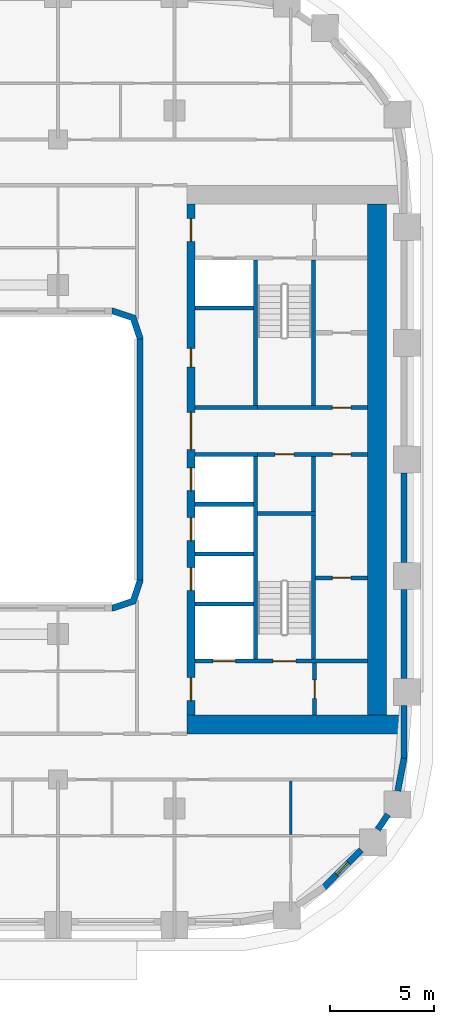
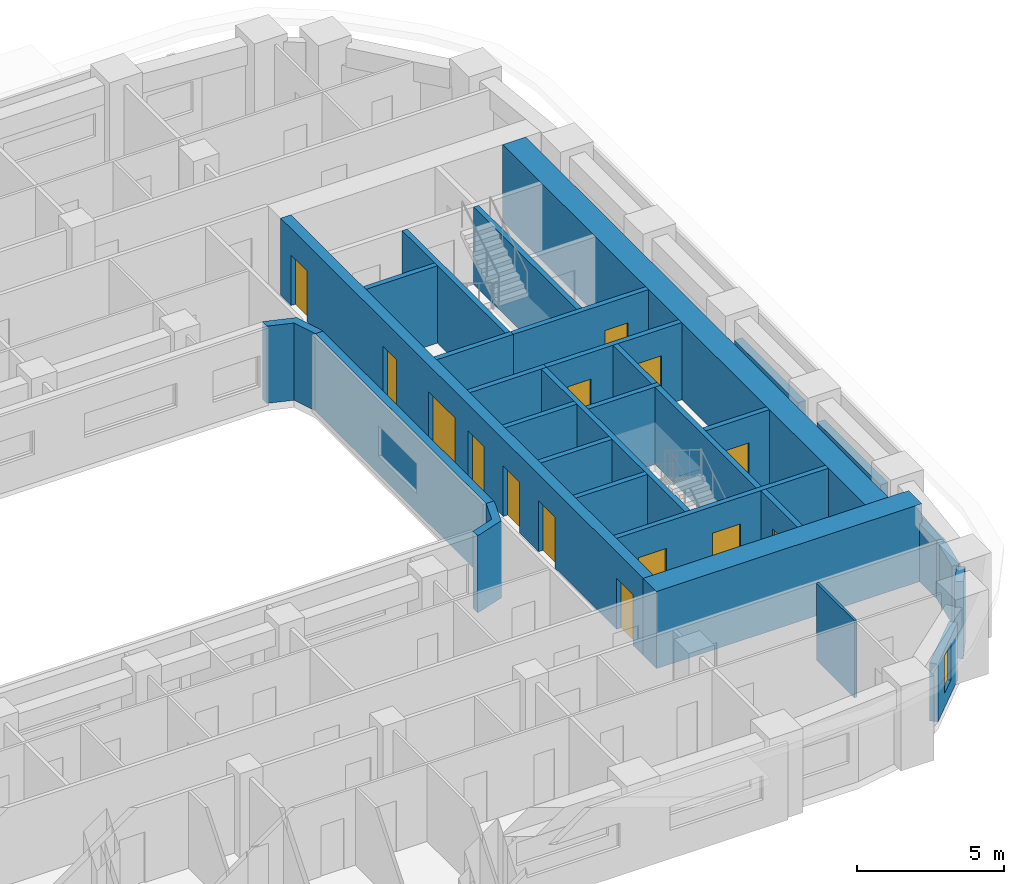
# One storey, part 6 of 21: 30 walls, 14 doors, 1 window, 15 openings.
"""IFC4 building model written with IfcOpenShell, lengths in metres."""

from ifc_helpers import new_model, si_unit, direction, frame, frame_2d, origin, place, context, subcontext, project, spatial, polyline, rectangle, outline, extrude, material, layer, layer_set, type_object, element, fill, save


model = new_model("IFC4")

# Units and contexts
model_context = context("Model", 3, precision=1e-05, world=origin(), true_north=direction((0.0, 1.0)))
body_context = subcontext(model_context, "Body", "Model", "MODEL_VIEW")
ifc_project = project(units=[si_unit("LENGTHUNIT", "METRE"), si_unit("AREAUNIT", "SQUARE_METRE"), si_unit("VOLUMEUNIT", "CUBIC_METRE"), si_unit("PLANEANGLEUNIT", "RADIAN"), si_unit("MASSUNIT", "GRAM", prefix="KILO")], contexts=[model_context])

# Site, building, storey
site_placement = place(None, origin())
site = spatial("IfcSite", under=ifc_project, at=site_placement, CompositionType="ELEMENT")
building_placement = place(site_placement, origin())
building = spatial("IfcBuilding", under=site, at=building_placement, Name="Kiln Ring Residences", CompositionType="ELEMENT")
storey_placement = place(building_placement, frame((0.0, 0.0, 100.800048828125)))
storey = spatial("IfcBuildingStorey", under=building, at=storey_placement, Name="L25", CompositionType="ELEMENT", Elevation=100.800048828125)

# Wall
ifc_material_1 = material(Name="Gypsum board on steel studs", Category="steel")
ifc_layer_1 = layer(ifc_material_1, 0.199951171875)
ifc_layer_set_1 = layer_set([ifc_layer_1], Name="CORE-PARTITION-200")
wall_type_1 = type_object("IfcWallType", Name="CORE-PARTITION-200", PredefinedType="PARTITIONING", material=ifc_layer_set_1)
wall_1_placement = place(storey_placement, frame((23.5, -2.5, 0.0), z_axis=(0.0, 0.0, 1.0), x_axis=(0.0, 1.0, 0.0)))
element("IfcWall", 1, at=wall_1_placement, inside=storey, type_object=wall_type_1, Name="Core partition east L25 1", PredefinedType="PARTITIONING", context=body_context, shape_type="SweptSolid", body=[
    extrude(rectangle(XDim=2.64990234375, YDim=0.199951171875, at=frame_2d((1.324951171875, 0.0))), origin(), (0.0, 0.0, 1.0), 3.199951171875),
])

# Wall, openings, doors
wall_2_placement = place(storey_placement, frame((20.800048828125, 0.25, 0.0), z_axis=(0.0, 0.0, 1.0), x_axis=(1.0, 0.0, 0.0)))
wall_2 = element("IfcWall", 2, at=wall_2_placement, inside=storey, type_object=wall_type_1, Name="Core partition east L25 2", PredefinedType="PARTITIONING", context=body_context, shape_type="SweptSolid", body=[
    extrude(rectangle(XDim=5.300048828125, YDim=0.199951171875, at=frame_2d((2.64990234375, 0.0))), origin(), (0.0, 0.0, 1.0), 3.199951171875),
])
opening_1_placement = place(wall_2_placement, frame((0.85009765625, 0.0, 0.0)))
opening_1 = element("IfcOpeningElement", 3, at=opening_1_placement, cuts=wall_2, Name="Opening L25-CE14", PredefinedType="OPENING", context=body_context, shape_type="SweptSolid", body=[
    extrude(rectangle(XDim=0.89990234375, YDim=2.10009765625, at=frame_2d((0.449951171875, 1.050048828125))), frame((0.0, 0.10986328125, 0.0), z_axis=(0.0, -1.0, 0.0), x_axis=(1.0, 0.0, 0.0)), (0.0, 0.0, 1.0), 0.219970703125),
])
opening_2_placement = place(wall_2_placement, frame((3.60009765625, 0.0, 0.0)))
opening_2 = element("IfcOpeningElement", 4, at=opening_2_placement, cuts=wall_2, Name="Opening L25-CE16", PredefinedType="OPENING", context=body_context, shape_type="SweptSolid", body=[
    extrude(rectangle(XDim=0.89990234375, YDim=2.10009765625, at=frame_2d((0.449951171875, 1.050048828125))), frame((0.0, 0.10986328125, 0.0), z_axis=(0.0, -1.0, 0.0), x_axis=(1.0, 0.0, 0.0)), (0.0, 0.0, 1.0), 0.219970703125),
])
ifc_material_2 = material(Name="Steel door leaf", Category="steel")
door_type_1 = type_object("IfcDoorType", Name="CORE-DOOR-ROOM", OperationType="SINGLE_SWING_LEFT", PredefinedType="DOOR", material=ifc_material_2)
door_1_placement = place(opening_1_placement, origin())
door_1 = element("IfcDoor", 5, at=door_1_placement, inside=storey, type_object=door_type_1, Name="Housekeeping store L25-CE14", OperationType="SINGLE_SWING_LEFT", OverallHeight=2.10009765625, OverallWidth=0.89990234375, PredefinedType="DOOR", context=body_context, shape_type="SweptSolid", body=[
    extrude(rectangle(XDim=0.89990234375, YDim=2.10009765625, at=frame_2d((0.449951171875, 1.050048828125))), frame((0.0, 0.02490234375, 0.0), z_axis=(0.0, -1.0, 0.0), x_axis=(1.0, 0.0, 0.0)), (0.0, 0.0, 1.0), 0.050048828125),
])
fill(opening_1, door_1)
door_2_placement = place(opening_2_placement, origin())
door_2 = element("IfcDoor", 6, at=door_2_placement, inside=storey, type_object=door_type_1, Name="Battery room L25-CE16", OperationType="SINGLE_SWING_LEFT", OverallHeight=2.10009765625, OverallWidth=0.89990234375, PredefinedType="DOOR", context=body_context, shape_type="SweptSolid", body=[
    extrude(rectangle(XDim=0.89990234375, YDim=2.10009765625, at=frame_2d((0.449951171875, 1.050048828125))), frame((0.0, 0.02490234375, 0.0), z_axis=(0.0, -1.0, 0.0), x_axis=(1.0, 0.0, 0.0)), (0.0, 0.0, 1.0), 0.050048828125),
])
fill(opening_2, door_2)

# Wall, opening, door
wall_3_placement = place(storey_placement, frame((23.550048828125, -12.300048828125, 0.0), z_axis=(0.0, 0.0, 1.0), x_axis=(0.0, 1.0, 0.0)))
wall_3 = element("IfcWall", 7, at=wall_3_placement, inside=storey, type_object=wall_type_1, Name="Core partition east L25 4", PredefinedType="PARTITIONING", context=body_context, shape_type="SweptSolid", body=[
    extrude(rectangle(XDim=2.5, YDim=0.199951171875, at=frame_2d((1.25, 0.0))), origin(), (0.0, 0.0, 1.0), 3.199951171875),
])
opening_3_placement = place(wall_3_placement, frame((0.800048828125, 0.0, 0.0)))
opening_3 = element("IfcOpeningElement", 8, at=opening_3_placement, cuts=wall_3, Name="Opening L25-CE10", PredefinedType="OPENING", context=body_context, shape_type="SweptSolid", body=[
    extrude(rectangle(XDim=0.89990234375, YDim=2.10009765625, at=frame_2d((0.449951171875, 1.050048828125))), frame((0.0, 0.10986328125, 0.0), z_axis=(0.0, -1.0, 0.0), x_axis=(1.0, 0.0, 0.0)), (0.0, 0.0, 1.0), 0.219970703125),
])
door_3_placement = place(opening_3_placement, origin())
door_3 = element("IfcDoor", 9, at=door_3_placement, inside=storey, type_object=door_type_1, Name="Store L25-CE10", OperationType="SINGLE_SWING_LEFT", OverallHeight=2.10009765625, OverallWidth=0.89990234375, PredefinedType="DOOR", context=body_context, shape_type="SweptSolid", body=[
    extrude(rectangle(XDim=0.89990234375, YDim=2.10009765625, at=frame_2d((0.449951171875, 1.050048828125))), frame((0.0, 0.02490234375, 0.0), z_axis=(0.0, -1.0, 0.0), x_axis=(1.0, 0.0, 0.0)), (0.0, 0.0, 1.0), 0.050048828125),
])
fill(opening_3, door_3)

wall_4_placement = place(storey_placement, frame((23.60009765625, -5.699951171875, 0.0), z_axis=(0.0, 0.0, 1.0), x_axis=(1.0, 0.0, 0.0)))
wall_4 = element("IfcWall", 10, at=wall_4_placement, inside=storey, type_object=wall_type_1, Name="Core partition east L25 5", PredefinedType="PARTITIONING", context=body_context, shape_type="SweptSolid", body=[
    extrude(rectangle(XDim=2.5, YDim=0.199951171875, at=frame_2d((1.25, 0.0))), origin(), (0.0, 0.0, 1.0), 3.199951171875),
])
opening_4_placement = place(wall_4_placement, frame((0.800048828125, 0.0, 0.0)))
opening_4 = element("IfcOpeningElement", 11, at=opening_4_placement, cuts=wall_4, Name="Opening L25-CE15", PredefinedType="OPENING", context=body_context, shape_type="SweptSolid", body=[
    extrude(rectangle(XDim=0.89990234375, YDim=2.10009765625, at=frame_2d((0.449951171875, 1.050048828125))), frame((0.0, 0.10986328125, 0.0), z_axis=(0.0, -1.0, 0.0), x_axis=(1.0, 0.0, 0.0)), (0.0, 0.0, 1.0), 0.219970703125),
])
door_4_placement = place(opening_4_placement, origin())
door_4 = element("IfcDoor", 12, at=door_4_placement, inside=storey, type_object=door_type_1, Name="Battery room L25-CE15", OperationType="SINGLE_SWING_LEFT", OverallHeight=2.10009765625, OverallWidth=0.89990234375, PredefinedType="DOOR", context=body_context, shape_type="SweptSolid", body=[
    extrude(rectangle(XDim=0.89990234375, YDim=2.10009765625, at=frame_2d((0.449951171875, 1.050048828125))), frame((0.0, 0.02490234375, 0.0), z_axis=(0.0, -1.0, 0.0), x_axis=(1.0, 0.0, 0.0)), (0.0, 0.0, 1.0), 0.050048828125),
])
fill(opening_4, door_4)

# Walls
ifc_material_3 = material(Name="Gypsum shaft wall system")
ifc_layer_2 = layer(ifc_material_3, 0.199951171875)
ifc_layer_set_2 = layer_set([ifc_layer_2], Name="CORE-SHAFT-WALL-200")
wall_type_2 = type_object("IfcWallType", Name="CORE-SHAFT-WALL-200", PredefinedType="PARTITIONING", material=ifc_layer_set_2)
for number, where, z_axis, x_axis, name in (
    (13, (17.800048828125, -6.949951171875, 0.0), (0.0, 0.0, 1.0), (1.0, 0.0, 0.0), "Core partition east L25 7"),
    (14, (17.800048828125, -4.550048828125, 0.0), (0.0, 0.0, 1.0), (1.0, 0.0, 0.0), "Core partition east L25 8"),
    (15, (17.800048828125, -2.14990234375, 0.0), (0.0, 0.0, 1.0), (1.0, 0.0, 0.0), "Core partition east L25 9"),
):
    element("IfcWall", number, at=place(storey_placement, frame(where, z_axis=z_axis, x_axis=x_axis)), inside=storey, type_object=wall_type_2, Name=name, PredefinedType="PARTITIONING", context=body_context, shape_type="SweptSolid", body=[
        extrude(rectangle(XDim=2.800048828125, YDim=0.199951171875, at=frame_2d((1.39990234375, 0.0))), origin(), (0.0, 0.0, 1.0), 3.199951171875),
    ])
for number, where, z_axis, x_axis, name in (
    (16, (17.800048828125, 0.25, 0.0), (0.0, 0.0, 1.0), (1.0, 0.0, 0.0), "Core partition east L25 10"),
    (17, (17.800048828125, 2.5, 0.0), (0.0, 0.0, 1.0), (1.0, 0.0, 0.0), "Core partition east L25 11"),
):
    element("IfcWall", number, at=place(storey_placement, frame(where, z_axis=z_axis, x_axis=x_axis)), inside=storey, type_object=wall_type_2, Name=name, PredefinedType="PARTITIONING", context=body_context, shape_type="SweptSolid", body=[
        extrude(rectangle(XDim=3.0, YDim=0.199951171875, at=frame_2d((1.5, 0.0))), origin(), (0.0, 0.0, 1.0), 3.199951171875),
    ])
wall_5_placement = place(storey_placement, frame((17.800048828125, 7.300048828125, 0.0), z_axis=(0.0, 0.0, 1.0), x_axis=(1.0, 0.0, 0.0)))
element("IfcWall", 18, at=wall_5_placement, inside=storey, type_object=wall_type_2, Name="Core partition east L25 12", PredefinedType="PARTITIONING", context=body_context, shape_type="SweptSolid", body=[
    extrude(rectangle(XDim=2.800048828125, YDim=0.199951171875, at=frame_2d((1.39990234375, 0.0))), origin(), (0.0, 0.0, 1.0), 3.199951171875),
])
ifc_material_4 = material(Name="Concrete C40/50", Category="concrete")
ifc_layer_3 = layer(ifc_material_4, 0.199951171875)
ifc_layer_set_3 = layer_set([ifc_layer_3], Name="CORE-WALL-RC200")
wall_type_3 = type_object("IfcWallType", Name="CORE-WALL-RC200", PredefinedType="SHEAR", material=ifc_layer_set_3)
wall_6_placement = place(storey_placement, frame((20.699951171875, 2.60009765625, 0.0), z_axis=(0.0, 0.0, 1.0), x_axis=(0.0, 1.0, 0.0)))
element("IfcWall", 19, at=wall_6_placement, inside=storey, type_object=wall_type_3, Name="Core wall east L25 1", PredefinedType="SHEAR", context=body_context, shape_type="SweptSolid", body=[
    extrude(rectangle(XDim=7.0, YDim=0.199951171875, at=frame_2d((3.5, 0.0))), origin(), (0.0, 0.0, 1.0), 3.199951171875),
])
wall_7_placement = place(storey_placement, frame((20.699951171875, -9.60009765625, 0.0), z_axis=(0.0, 0.0, 1.0), x_axis=(0.0, 1.0, 0.0)))
element("IfcWall", 20, at=wall_7_placement, inside=storey, type_object=wall_type_3, Name="Core wall east L25 2", PredefinedType="SHEAR", context=body_context, shape_type="SweptSolid", body=[
    extrude(rectangle(XDim=9.75, YDim=0.199951171875, at=frame_2d((4.875, 0.0))), origin(), (0.0, 0.0, 1.0), 3.199951171875),
])

# Wall, opening, door
wall_8_placement = place(storey_placement, frame((20.800048828125, 2.5, 0.0), z_axis=(0.0, 0.0, 1.0), x_axis=(1.0, 0.0, 0.0)))
wall_8 = element("IfcWall", 21, at=wall_8_placement, inside=storey, type_object=wall_type_3, Name="Core wall east L25 3", PredefinedType="SHEAR", context=body_context, shape_type="SweptSolid", body=[
    extrude(rectangle(XDim=5.300048828125, YDim=0.199951171875, at=frame_2d((2.64990234375, 0.0))), origin(), (0.0, 0.0, 1.0), 3.199951171875),
])
opening_5_placement = place(wall_8_placement, frame((3.60009765625, 0.0, 0.0)))
opening_5 = element("IfcOpeningElement", 22, at=opening_5_placement, cuts=wall_8, Name="Opening L25-CE18", PredefinedType="OPENING", context=body_context, shape_type="SweptSolid", body=[
    extrude(rectangle(XDim=0.89990234375, YDim=2.10009765625, at=frame_2d((0.449951171875, 1.050048828125))), frame((0.0, 0.10986328125, 0.0), z_axis=(0.0, -1.0, 0.0), x_axis=(1.0, 0.0, 0.0)), (0.0, 0.0, 1.0), 0.219970703125),
])
door_5_placement = place(opening_5_placement, origin())
door_5 = element("IfcDoor", 23, at=door_5_placement, inside=storey, type_object=door_type_1, Name="Comms room L25-CE18", OperationType="SINGLE_SWING_RIGHT", OverallHeight=2.10009765625, OverallWidth=0.89990234375, PredefinedType="DOOR", context=body_context, shape_type="SweptSolid", body=[
    extrude(rectangle(XDim=0.89990234375, YDim=2.10009765625, at=frame_2d((0.449951171875, 1.050048828125))), frame((0.0, 0.02490234375, 0.0), z_axis=(0.0, -1.0, 0.0), x_axis=(1.0, 0.0, 0.0)), (0.0, 0.0, 1.0), 0.050048828125),
])
fill(opening_5, door_5)

# Wall, openings, doors
wall_9_placement = place(storey_placement, frame((17.800048828125, -9.699951171875, 0.0), z_axis=(0.0, 0.0, 1.0), x_axis=(1.0, 0.0, 0.0)))
wall_9 = element("IfcWall", 24, at=wall_9_placement, inside=storey, type_object=wall_type_3, Name="Core wall east L25 8", PredefinedType="SHEAR", context=body_context, shape_type="SweptSolid", body=[
    extrude(rectangle(XDim=8.300048828125, YDim=0.199951171875, at=frame_2d((4.14990234375, 0.0))), origin(), (0.0, 0.0, 1.0), 3.199951171875),
])
opening_6_placement = place(wall_9_placement, frame((0.85009765625, 0.0, 0.0)))
opening_6 = element("IfcOpeningElement", 25, at=opening_6_placement, cuts=wall_9, Name="Opening L25-CE01", PredefinedType="OPENING", context=body_context, shape_type="SweptSolid", body=[
    extrude(rectangle(XDim=1.10009765625, YDim=2.10009765625, at=frame_2d((0.550048828125, 1.050048828125))), frame((0.0, 0.10986328125, 0.0), z_axis=(0.0, -1.0, 0.0), x_axis=(1.0, 0.0, 0.0)), (0.0, 0.0, 1.0), 0.219970703125),
])
opening_7_placement = place(wall_9_placement, frame((3.75, 0.0, 0.0)))
opening_7 = element("IfcOpeningElement", 26, at=opening_7_placement, cuts=wall_9, Name="Opening L25-CE12", PredefinedType="OPENING", context=body_context, shape_type="SweptSolid", body=[
    extrude(rectangle(XDim=1.10009765625, YDim=2.10009765625, at=frame_2d((0.550048828125, 1.050048828125))), frame((0.0, 0.10986328125, 0.0), z_axis=(0.0, -1.0, 0.0), x_axis=(1.0, 0.0, 0.0)), (0.0, 0.0, 1.0), 0.219970703125),
])
ifc_material_5 = material(Name="Steel door leaf", Category="steel")
door_type_2 = type_object("IfcDoorType", Name="CORE-DOOR-LD", OperationType="DOUBLE_DOOR_SLIDING", PredefinedType="DOOR", material=ifc_material_5)
door_6_placement = place(opening_6_placement, origin())
door_6 = element("IfcDoor", 27, at=door_6_placement, inside=storey, type_object=door_type_2, Name="LD E-SV L25-CE01", OperationType="DOUBLE_DOOR_SLIDING", OverallHeight=2.10009765625, OverallWidth=1.10009765625, PredefinedType="DOOR", context=body_context, shape_type="SweptSolid", body=[
    extrude(rectangle(XDim=1.10009765625, YDim=2.10009765625, at=frame_2d((0.550048828125, 1.050048828125))), frame((0.0, 0.02490234375, 0.0), z_axis=(0.0, -1.0, 0.0), x_axis=(1.0, 0.0, 0.0)), (0.0, 0.0, 1.0), 0.050048828125),
])
fill(opening_6, door_6)
ifc_material_6 = material(Name="Steel door leaf", Category="steel")
door_type_3 = type_object("IfcDoorType", Name="CORE-DOOR-STAIR", OperationType="SINGLE_SWING_LEFT", PredefinedType="DOOR", material=ifc_material_6)
door_7_placement = place(opening_7_placement, origin())
door_7 = element("IfcDoor", 28, at=door_7_placement, inside=storey, type_object=door_type_3, Name="Stair E-STS L25-CE12", OperationType="SINGLE_SWING_RIGHT", OverallHeight=2.10009765625, OverallWidth=1.10009765625, PredefinedType="DOOR", context=body_context, shape_type="SweptSolid", body=[
    extrude(rectangle(XDim=1.10009765625, YDim=2.10009765625, at=frame_2d((0.550048828125, 1.050048828125))), frame((0.0, 0.02490234375, 0.0), z_axis=(0.0, -1.0, 0.0), x_axis=(1.0, 0.0, 0.0)), (0.0, 0.0, 1.0), 0.050048828125),
])
fill(opening_7, door_7)

# Walls
wall_10_placement = place(storey_placement, frame((23.5, 2.60009765625, 0.0), z_axis=(0.0, 0.0, 1.0), x_axis=(0.0, 1.0, 0.0)))
element("IfcWall", 29, at=wall_10_placement, inside=storey, type_object=wall_type_3, Name="Core wall east L25 10", PredefinedType="SHEAR", context=body_context, shape_type="SweptSolid", body=[
    extrude(rectangle(XDim=7.0, YDim=0.199951171875, at=frame_2d((3.5, 0.0))), origin(), (0.0, 0.0, 1.0), 3.199951171875),
])
wall_11_placement = place(storey_placement, frame((23.5, -9.60009765625, 0.0), z_axis=(0.0, 0.0, 1.0), x_axis=(0.0, 1.0, 0.0)))
element("IfcWall", 30, at=wall_11_placement, inside=storey, type_object=wall_type_3, Name="Core wall east L25 11", PredefinedType="SHEAR", context=body_context, shape_type="SweptSolid", body=[
    extrude(rectangle(XDim=6.900146484375, YDim=0.199951171875, at=frame_2d((3.4501953125, 0.0))), origin(), (0.0, 0.0, 1.0), 3.199951171875),
])
wall_12_placement = place(storey_placement, frame((20.800048828125, -2.60009765625, 0.0), z_axis=(0.0, 0.0, 1.0), x_axis=(1.0, 0.0, 0.0)))
element("IfcWall", 31, at=wall_12_placement, inside=storey, type_object=wall_type_3, Name="Core wall east L25 12", PredefinedType="SHEAR", context=body_context, shape_type="SweptSolid", body=[
    extrude(rectangle(XDim=2.800048828125, YDim=0.199951171875, at=frame_2d((1.39990234375, 0.0))), origin(), (0.0, 0.0, 1.0), 3.199951171875),
])

# Wall, openings, doors
ifc_material_7 = material(Name="Concrete C60/75", Category="concrete")
ifc_layer_4 = layer(ifc_material_7, 0.39990234375)
ifc_layer_set_4 = layer_set([ifc_layer_4], Name="CORE-WALL-RC400")
wall_type_4 = type_object("IfcWallType", Name="CORE-WALL-RC400", PredefinedType="SHEAR", material=ifc_layer_set_4)
wall_13_placement = place(storey_placement, frame((17.60009765625, -12.300048828125, 0.0), z_axis=(0.0, 0.0, 1.0), x_axis=(0.0, 1.0, 0.0)))
wall_13 = element("IfcWall", 32, at=wall_13_placement, inside=storey, type_object=wall_type_4, Name="Core wall east L25 6", PredefinedType="SHEAR", context=body_context, shape_type="SweptSolid", body=[
    extrude(rectangle(XDim=24.60009765625, YDim=0.39990234375, at=frame_2d((12.300048828125, 0.0))), origin(), (0.0, 0.0, 1.0), 3.199951171875),
])
opening_8_placement = place(wall_13_placement, frame((6.0, 0.0, 0.0)))
opening_8 = element("IfcOpeningElement", 33, at=opening_8_placement, cuts=wall_13, Name="Opening L25-CE02", PredefinedType="OPENING", context=body_context, shape_type="SweptSolid", body=[
    extrude(rectangle(XDim=1.10009765625, YDim=2.10009765625, at=frame_2d((0.550048828125, 1.050048828125))), frame((0.0, 0.2099609375, 0.0), z_axis=(0.0, -1.0, 0.0), x_axis=(1.0, 0.0, 0.0)), (0.0, 0.0, 1.0), 0.419921875),
])
opening_9_placement = place(wall_13_placement, frame((8.39990234375, 0.0, 0.0)))
opening_9 = element("IfcOpeningElement", 34, at=opening_9_placement, cuts=wall_13, Name="Opening L25-CE03", PredefinedType="OPENING", context=body_context, shape_type="SweptSolid", body=[
    extrude(rectangle(XDim=1.10009765625, YDim=2.10009765625, at=frame_2d((0.550048828125, 1.050048828125))), frame((0.0, 0.2099609375, 0.0), z_axis=(0.0, -1.0, 0.0), x_axis=(1.0, 0.0, 0.0)), (0.0, 0.0, 1.0), 0.419921875),
])
opening_10_placement = place(wall_13_placement, frame((10.800048828125, 0.0, 0.0)))
opening_10 = element("IfcOpeningElement", 35, at=opening_10_placement, cuts=wall_13, Name="Opening L25-CE04", PredefinedType="OPENING", context=body_context, shape_type="SweptSolid", body=[
    extrude(rectangle(XDim=1.10009765625, YDim=2.10009765625, at=frame_2d((0.550048828125, 1.050048828125))), frame((0.0, 0.2099609375, 0.0), z_axis=(0.0, -1.0, 0.0), x_axis=(1.0, 0.0, 0.0)), (0.0, 0.0, 1.0), 0.419921875),
])
opening_11_placement = place(wall_13_placement, frame((16.75, 0.0, 0.0)))
opening_11 = element("IfcOpeningElement", 36, at=opening_11_placement, cuts=wall_13, Name="Opening L25-CE05", PredefinedType="OPENING", context=body_context, shape_type="SweptSolid", body=[
    extrude(rectangle(XDim=0.89990234375, YDim=2.10009765625, at=frame_2d((0.449951171875, 1.050048828125))), frame((0.0, 0.2099609375, 0.0), z_axis=(0.0, -1.0, 0.0), x_axis=(1.0, 0.0, 0.0)), (0.0, 0.0, 1.0), 0.419921875),
])
opening_12_placement = place(wall_13_placement, frame((22.800048828125, 0.0, 0.0)))
opening_12 = element("IfcOpeningElement", 37, at=opening_12_placement, cuts=wall_13, Name="Opening L25-CE07", PredefinedType="OPENING", context=body_context, shape_type="SweptSolid", body=[
    extrude(rectangle(XDim=1.10009765625, YDim=2.10009765625, at=frame_2d((0.550048828125, 1.050048828125))), frame((0.0, 0.2099609375, 0.0), z_axis=(0.0, -1.0, 0.0), x_axis=(1.0, 0.0, 0.0)), (0.0, 0.0, 1.0), 0.419921875),
])
opening_13_placement = place(wall_13_placement, frame((0.699951171875, 0.0, 0.0)))
opening_13 = element("IfcOpeningElement", 38, at=opening_13_placement, cuts=wall_13, Name="Opening L25-CE08", PredefinedType="OPENING", context=body_context, shape_type="SweptSolid", body=[
    extrude(rectangle(XDim=1.10009765625, YDim=2.10009765625, at=frame_2d((0.550048828125, 1.050048828125))), frame((0.0, 0.2099609375, 0.0), z_axis=(0.0, -1.0, 0.0), x_axis=(1.0, 0.0, 0.0)), (0.0, 0.0, 1.0), 0.419921875),
])
opening_14_placement = place(wall_13_placement, frame((12.77490234375, 0.0, 0.0)))
opening_14 = element("IfcOpeningElement", 39, at=opening_14_placement, cuts=wall_13, Name="Opening L25-CE13", PredefinedType="OPENING", context=body_context, shape_type="SweptSolid", body=[
    extrude(rectangle(XDim=1.800048828125, YDim=2.10009765625, at=frame_2d((0.89990234375, 1.050048828125))), frame((0.0, 0.2099609375, 0.0), z_axis=(0.0, -1.0, 0.0), x_axis=(1.0, 0.0, 0.0)), (0.0, 0.0, 1.0), 0.419921875),
])
door_8_placement = place(opening_8_placement, origin())
door_8 = element("IfcDoor", 40, at=door_8_placement, inside=storey, type_object=door_type_2, Name="LD E-L1 L25-CE02", OperationType="DOUBLE_DOOR_SLIDING", OverallHeight=2.10009765625, OverallWidth=1.10009765625, PredefinedType="DOOR", context=body_context, shape_type="SweptSolid", body=[
    extrude(rectangle(XDim=1.10009765625, YDim=2.10009765625, at=frame_2d((0.550048828125, 1.050048828125))), frame((0.0, 0.02490234375, 0.0), z_axis=(0.0, -1.0, 0.0), x_axis=(1.0, 0.0, 0.0)), (0.0, 0.0, 1.0), 0.050048828125),
])
fill(opening_8, door_8)
door_9_placement = place(opening_9_placement, origin())
door_9 = element("IfcDoor", 41, at=door_9_placement, inside=storey, type_object=door_type_2, Name="LD E-L2 L25-CE03", OperationType="DOUBLE_DOOR_SLIDING", OverallHeight=2.10009765625, OverallWidth=1.10009765625, PredefinedType="DOOR", context=body_context, shape_type="SweptSolid", body=[
    extrude(rectangle(XDim=1.10009765625, YDim=2.10009765625, at=frame_2d((0.550048828125, 1.050048828125))), frame((0.0, 0.02490234375, 0.0), z_axis=(0.0, -1.0, 0.0), x_axis=(1.0, 0.0, 0.0)), (0.0, 0.0, 1.0), 0.050048828125),
])
fill(opening_9, door_9)
door_10_placement = place(opening_10_placement, origin())
door_10 = element("IfcDoor", 42, at=door_10_placement, inside=storey, type_object=door_type_2, Name="LD E-L3 L25-CE04", OperationType="DOUBLE_DOOR_SLIDING", OverallHeight=2.10009765625, OverallWidth=1.10009765625, PredefinedType="DOOR", context=body_context, shape_type="SweptSolid", body=[
    extrude(rectangle(XDim=1.10009765625, YDim=2.10009765625, at=frame_2d((0.550048828125, 1.050048828125))), frame((0.0, 0.02490234375, 0.0), z_axis=(0.0, -1.0, 0.0), x_axis=(1.0, 0.0, 0.0)), (0.0, 0.0, 1.0), 0.050048828125),
])
fill(opening_10, door_10)
ifc_material_8 = material(Name="Steel door leaf", Category="steel")
door_type_4 = type_object("IfcDoorType", Name="CORE-DOOR-LOBBY", OperationType="SINGLE_SWING_LEFT", PredefinedType="DOOR", material=ifc_material_8)
door_11_placement = place(opening_12_placement, origin())
door_11 = element("IfcDoor", 43, at=door_11_placement, inside=storey, type_object=door_type_4, Name="FFL L25-CE07", OperationType="SINGLE_SWING_LEFT", OverallHeight=2.10009765625, OverallWidth=1.10009765625, PredefinedType="DOOR", context=body_context, shape_type="SweptSolid", body=[
    extrude(rectangle(XDim=1.10009765625, YDim=2.10009765625, at=frame_2d((0.550048828125, 1.050048828125))), frame((0.0, 0.02490234375, 0.0), z_axis=(0.0, -1.0, 0.0), x_axis=(1.0, 0.0, 0.0)), (0.0, 0.0, 1.0), 0.050048828125),
])
fill(opening_12, door_11)
door_12_placement = place(opening_13_placement, origin())
door_12 = element("IfcDoor", 44, at=door_12_placement, inside=storey, type_object=door_type_4, Name="SVL L25-CE08", OperationType="SINGLE_SWING_RIGHT", OverallHeight=2.10009765625, OverallWidth=1.10009765625, PredefinedType="DOOR", context=body_context, shape_type="SweptSolid", body=[
    extrude(rectangle(XDim=1.10009765625, YDim=2.10009765625, at=frame_2d((0.550048828125, 1.050048828125))), frame((0.0, 0.02490234375, 0.0), z_axis=(0.0, -1.0, 0.0), x_axis=(1.0, 0.0, 0.0)), (0.0, 0.0, 1.0), 0.050048828125),
])
fill(opening_13, door_12)
ifc_material_9 = material(Name="Steel door leaf", Category="steel")
door_type_5 = type_object("IfcDoorType", Name="CORE-DOOR-PASS", OperationType="DOUBLE_DOOR_SINGLE_SWING", PredefinedType="DOOR", material=ifc_material_9)
door_13_placement = place(opening_14_placement, origin())
door_13 = element("IfcDoor", 45, at=door_13_placement, inside=storey, type_object=door_type_5, Name="Core passage L25-CE13", OperationType="DOUBLE_DOOR_SINGLE_SWING", OverallHeight=2.10009765625, OverallWidth=1.800048828125, PredefinedType="DOOR", context=body_context, shape_type="SweptSolid", body=[
    extrude(rectangle(XDim=1.800048828125, YDim=2.10009765625, at=frame_2d((0.89990234375, 1.050048828125))), frame((0.0, 0.02490234375, 0.0), z_axis=(0.0, -1.0, 0.0), x_axis=(1.0, 0.0, 0.0)), (0.0, 0.0, 1.0), 0.050048828125),
])
fill(opening_14, door_13)
door_14_placement = place(opening_11_placement, origin())
door_14 = element("IfcDoor", 46, at=door_14_placement, inside=storey, type_object=door_type_1, Name="Locker store L25-CE05", OperationType="SINGLE_SWING_RIGHT", OverallHeight=2.10009765625, OverallWidth=0.89990234375, PredefinedType="DOOR", context=body_context, shape_type="SweptSolid", body=[
    extrude(rectangle(XDim=0.89990234375, YDim=2.10009765625, at=frame_2d((0.449951171875, 1.050048828125))), frame((0.0, 0.02490234375, 0.0), z_axis=(0.0, -1.0, 0.0), x_axis=(1.0, 0.0, 0.0)), (0.0, 0.0, 1.0), 0.050048828125),
])
fill(opening_11, door_14)

# Walls
ifc_material_10 = material(Name="Concrete C60/75", Category="concrete")
ifc_layer_5 = layer(ifc_material_10, 0.89990234375)
ifc_layer_set_5 = layer_set([ifc_layer_5], Name="CORE-WALL-RC900")
wall_type_5 = type_object("IfcWallType", Name="CORE-WALL-RC900", PredefinedType="SHEAR", material=ifc_layer_set_5)
wall_14_placement = place(storey_placement, frame((17.39990234375, -12.75, 0.0), z_axis=(0.0, 0.0, 1.0), x_axis=(1.0, 0.0, 0.0)))
element("IfcWall", 47, at=wall_14_placement, inside=storey, type_object=wall_type_5, Name="Core wall east L25 5", PredefinedType="SHEAR", context=body_context, shape_type="SweptSolid", body=[
    extrude(rectangle(XDim=10.400146484375, YDim=0.89990234375, at=frame_2d((5.2001953125, 0.0))), origin(), (0.0, 0.0, 1.0), 3.199951171875),
])
wall_15_placement = place(storey_placement, frame((26.550048828125, -12.300048828125, 0.0), z_axis=(0.0, 0.0, 1.0), x_axis=(0.0, 1.0, 0.0)))
element("IfcWall", 48, at=wall_15_placement, inside=storey, type_object=wall_type_5, Name="Core wall east L25 7", PredefinedType="SHEAR", context=body_context, shape_type="SweptSolid", body=[
    extrude(rectangle(XDim=24.60009765625, YDim=0.89990234375, at=frame_2d((12.300048828125, 0.0))), origin(), (0.0, 0.0, 1.0), 3.199951171875),
])

# Wall, opening, window
ifc_material_11 = material(Name="Brick masonry, dark clay brick", Category="masonry")
ifc_layer_6 = layer(ifc_material_11, 0.300048828125)
ifc_layer_set_6 = layer_set([ifc_layer_6], Name="EW-300 BRICK WALL")
wall_type_6 = type_object("IfcWallType", Name="EW-300 BRICK WALL", PredefinedType="SOLIDWALL", material=ifc_layer_set_6)
wall_16_placement = place(storey_placement, frame((23.990966796875, -20.596923828125, 0.0), z_axis=(0.0, 0.0, 1.0), x_axis=(0.707106781187, 0.707106781187, 0.0)))
wall_16 = element("IfcWall", 49, at=wall_16_placement, inside=storey, type_object=wall_type_6, Name="Facade wall L25 14", PredefinedType="SOLIDWALL", context=body_context, shape_type="SweptSolid", body=[
    extrude(rectangle(XDim=2.550048828125, YDim=0.300048828125, at=frame_2d((1.27490234375, 0.0))), origin(), (0.0, 0.0, 1.0), 2.39990234375),
])
opening_15_placement = place(wall_16_placement, frame((0.875, 0.0, 0.60009765625)))
opening_15 = element("IfcOpeningElement", 50, at=opening_15_placement, cuts=wall_16, Name="Opening W5", PredefinedType="OPENING", context=body_context, shape_type="SweptSolid", body=[
    extrude(rectangle(XDim=0.800048828125, YDim=1.550048828125, at=frame_2d((0.39990234375, 0.77490234375))), frame((0.0, 0.159912109375, 0.0), z_axis=(0.0, -1.0, 0.0), x_axis=(1.0, 0.0, 0.0)), (0.0, 0.0, 1.0), 0.320068359375),
])
ifc_material_12 = material(Name="Aluminium frame with double glazing", Category="aluminium")
window_type = type_object("IfcWindowType", Name="WINDOW 800 x 1550", PartitioningType="SINGLE_PANEL", PredefinedType="WINDOW", material=ifc_material_12)
window_placement = place(opening_15_placement, origin())
window = element("IfcWindow", 51, at=window_placement, inside=storey, type_object=window_type, Name="Window L25 11", OverallHeight=1.550048828125, OverallWidth=0.800048828125, PartitioningType="SINGLE_PANEL", PredefinedType="WINDOW", context=body_context, shape_type="SweptSolid", body=[
    extrude(rectangle(XDim=0.800048828125, YDim=1.550048828125, at=frame_2d((0.39990234375, 0.77490234375))), frame((0.0, 0.030029296875, 0.0), z_axis=(0.0, -1.0, 0.0), x_axis=(1.0, 0.0, 0.0)), (0.0, 0.0, 1.0), 0.06005859375),
])
fill(opening_15, window)

# Walls
wall_17_placement = place(storey_placement, frame((26.588623046875, -17.809814453125, 0.0), z_axis=(0.0, 0.0, 1.0), x_axis=(0.562066330934, 0.827092159091, 0.0)))
element("IfcWall", 52, at=wall_17_placement, inside=storey, type_object=wall_type_6, Name="Facade wall L25 15", PredefinedType="SOLIDWALL", context=body_context, shape_type="SweptSolid", body=[
    extrude(rectangle(XDim=0.876953125, YDim=0.300048828125, at=frame_2d((0.4384765625, 0.0))), origin(), (0.0, 0.0, 1.0), 3.199951171875),
])
wall_18_placement = place(storey_placement, frame((27.5517578125, -15.949462890625, 0.0), z_axis=(0.0, 0.0, 1.0), x_axis=(0.187279751651, 0.982306619453, 0.0)))
element("IfcWall", 53, at=wall_18_placement, inside=storey, type_object=wall_type_6, Name="Facade wall L25 16", PredefinedType="SOLIDWALL", context=body_context, shape_type="SweptSolid", body=[
    extrude(rectangle(XDim=1.60595703125, YDim=0.300048828125, at=frame_2d((0.802978515625, 0.0))), origin(), (0.0, 0.0, 1.0), 2.39990234375),
])
wall_19_placement = place(storey_placement, frame((27.85009765625, -14.39990234375, 0.0), z_axis=(0.0, 0.0, 1.0), x_axis=(0.0, 1.0, 0.0)))
element("IfcWall", 54, at=wall_19_placement, inside=storey, type_object=wall_type_6, Name="Facade wall L25 17", PredefinedType="SOLIDWALL", context=body_context, shape_type="SweptSolid", body=[
    extrude(rectangle(XDim=2.5498046875, YDim=0.300048828125, at=frame_2d((1.27490234375, 0.0))), origin(), (0.0, 0.0, 1.0), 2.39990234375),
])
for number, where, z_axis, x_axis, name in (
    (55, (27.85009765625, -10.550048828125, 0.0), (0.0, 0.0, 1.0), (0.0, 1.0, 0.0), "Facade wall L25 18"),
    (56, (27.85009765625, -4.949951171875, 0.0), (0.0, 0.0, 1.0), (0.0, 1.0, 0.0), "Facade wall L25 19"),
):
    element("IfcWall", number, at=place(storey_placement, frame(where, z_axis=z_axis, x_axis=x_axis)), inside=storey, type_object=wall_type_6, Name=name, PredefinedType="SOLIDWALL", context=body_context, shape_type="SweptSolid", body=[
        extrude(rectangle(XDim=4.300048828125, YDim=0.300048828125, at=frame_2d((2.14990234375, 0.0))), origin(), (0.0, 0.0, 1.0), 2.39990234375),
    ])
wall_20_placement = place(storey_placement, frame((15.14990234375, 5.800048828125, 0.0), z_axis=(0.0, 0.0, 1.0), x_axis=(0.0, -1.0, 0.0)))
element("IfcWall", 57, at=wall_20_placement, inside=storey, type_object=wall_type_6, Name="Facade wall L25 51", PredefinedType="SOLIDWALL", context=body_context, shape_type="SweptSolid", body=[
    extrude(rectangle(XDim=11.60009765625, YDim=0.300048828125, at=frame_2d((5.800048828125, 0.0))), origin(), (0.0, 0.0, 1.0), 3.199951171875),
])
placement = place(storey_placement, origin())
element("IfcWall", 58, at=placement, inside=storey, type_object=wall_type_6, Name="Corner wall L25 2", PredefinedType="SOLIDWALL", context=body_context, shape_type="SweptSolid", body=[
    extrude(outline(polyline([(14.937255859375, 6.937255859375), (13.8486328125, 7.300048828125), (13.800048828125, 7.300048828125), (13.800048828125, 7.0), (14.699951171875, 6.699951171875), (15.0, 5.800048828125), (15.300048828125, 5.800048828125), (15.300048828125, 5.8486328125), (14.937255859375, 6.937255859375)])), origin(), (0.0, 0.0, 1.0), 3.199951171875),
])
element("IfcWall", 59, at=placement, inside=storey, type_object=wall_type_6, Name="Corner wall L25 3", PredefinedType="SOLIDWALL", context=body_context, shape_type="SweptSolid", body=[
    extrude(outline(polyline([(14.937255859375, -6.937255859375), (15.300048828125, -5.8486328125), (15.300048828125, -5.800048828125), (15.0, -5.800048828125), (14.699951171875, -6.699951171875), (13.800048828125, -7.0), (13.800048828125, -7.300048828125), (13.8486328125, -7.300048828125), (14.937255859375, -6.937255859375)])), origin(), (0.0, 0.0, 1.0), 3.199951171875),
])
ifc_material_13 = material(Name="Gypsum board on steel studs", Category="steel")
ifc_layer_7 = layer(ifc_material_13, 0.10009765625)
ifc_layer_set_7 = layer_set([ifc_layer_7], Name="PARTITION-100")
wall_type_7 = type_object("IfcWallType", Name="PARTITION-100", PredefinedType="PARTITIONING", material=ifc_layer_set_7)
wall_23_placement = place(storey_placement, frame((22.39990234375, -18.050048828125, 0.0), z_axis=(0.0, 0.0, 1.0), x_axis=(0.0, 1.0, 0.0)))
element("IfcWall", 60, at=wall_23_placement, inside=storey, type_object=wall_type_7, Name="Partition 077", PredefinedType="PARTITIONING", context=body_context, shape_type="SweptSolid", body=[
    extrude(rectangle(XDim=2.574951171875, YDim=0.10009765625, at=frame_2d((1.28759765625, 0.0))), origin(), (0.0, 0.0, 1.0), 3.199951171875),
])

save(model, "model.ifc")
